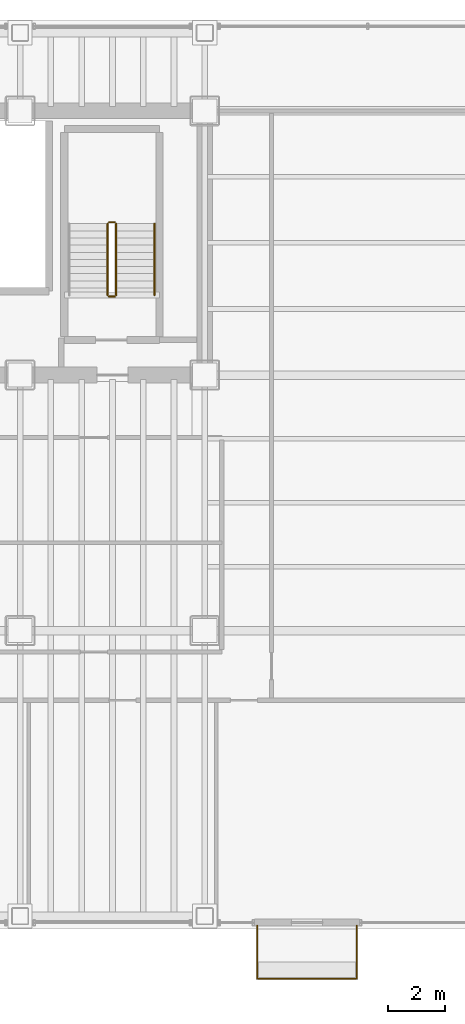
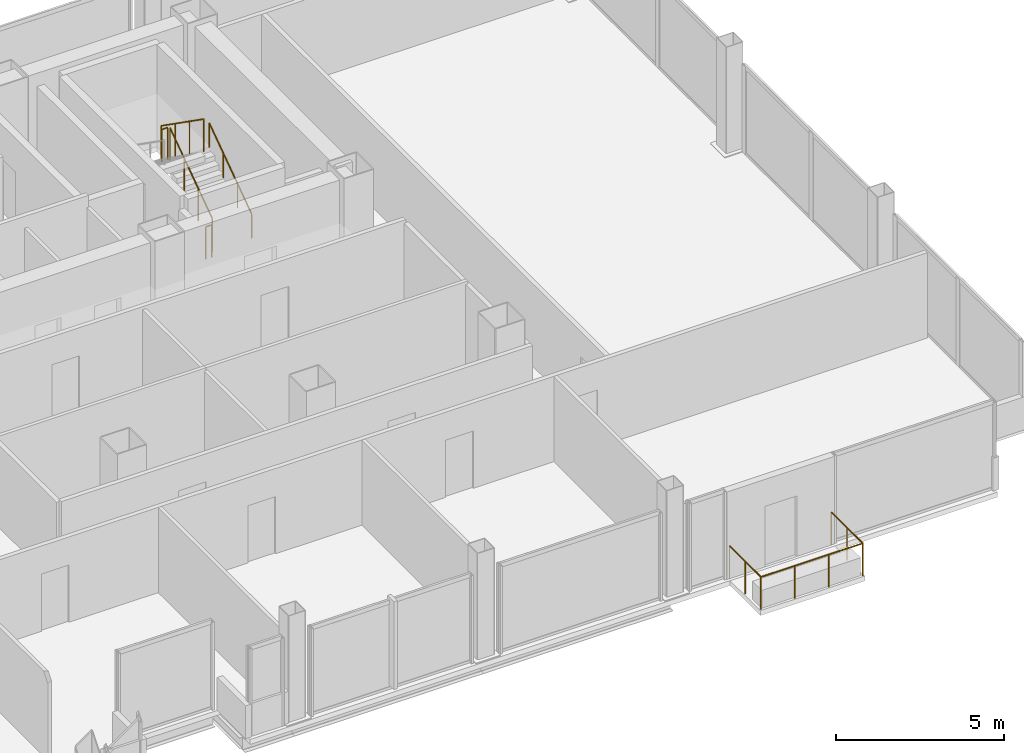
# One storey, part 22 of 22: 6 railings.
"""IFC4 building model written with IfcOpenShell, lengths in metres."""

from ifc_helpers import new_model, si_unit, direction, frame, origin, origin_2d, place, context, subcontext, project, spatial, circle, extrude, material, layer, layer_set, type_object, element, save


model = new_model("IFC4")

# Units and contexts
model_context = context("Model", 3, precision=1e-05, world=origin(), true_north=direction((0.0, 1.0)))
body_context = subcontext(model_context, "Body", "Model", "MODEL_VIEW")
ifc_project = project(units=[si_unit("LENGTHUNIT", "METRE"), si_unit("AREAUNIT", "SQUARE_METRE"), si_unit("VOLUMEUNIT", "CUBIC_METRE"), si_unit("PLANEANGLEUNIT", "RADIAN"), si_unit("MASSUNIT", "GRAM", prefix="KILO")], contexts=[model_context])

# Site, building, storey
site_placement = place(None, origin())
site = spatial("IfcSite", under=ifc_project, at=site_placement, CompositionType="ELEMENT")
building_placement = place(site_placement, origin())
building = spatial("IfcBuilding", under=site, at=building_placement, Name="Noeulbin Bourse Tower", CompositionType="ELEMENT")
storey_placement = place(building_placement, frame((0.0, 0.0, 85.0)))
storey = spatial("IfcBuildingStorey", under=building, at=storey_placement, Name="L21", CompositionType="ELEMENT", Elevation=85.0)

# Railings
ifc_material_1 = material(Name="Laminated SentryGlas and Stainless Steel 316", Category="steel")
ifc_layer_1 = layer(ifc_material_1, 0.06005859375)
ifc_layer_set_1 = layer_set([ifc_layer_1], Name="Laminated SentryGlas and Stainless Steel 316")
railing_type_1 = type_object("IfcRailingType", Name="RLG-BAL-1200", PredefinedType="BALUSTRADE", material=ifc_layer_set_1)
railing_1_placement = place(storey_placement, frame((45.85009765625, 9.6201171875, 0.0)))
element("IfcRailing", 1, at=railing_1_placement, inside=storey, type_object=railing_type_1, Name="Tree-Balcony Glazed Balustrade L21", PredefinedType="BALUSTRADE", context=body_context, shape_type="SweptSolid", body=[
    extrude(circle(Radius=0.02392578125, at=origin_2d()), frame((0.0, 0.0, 1.17578125), z_axis=(0.0, -1.0, 0.0), x_axis=(1.0, 0.0, 0.0)), (0.0, 0.0, 1.0), 1.8701171875),
    extrude(circle(Radius=0.02392578125, at=origin_2d()), frame((0.0, -1.8701171875, 1.17578125), z_axis=(1.0, 0.0, 0.0), x_axis=(0.0, 1.0, 0.0)), (0.0, 0.0, 1.0), 3.5),
    extrude(circle(Radius=0.02392578125, at=origin_2d()), frame((3.5, -1.8701171875, 1.17578125), z_axis=(0.0, 1.0, 0.0), x_axis=(-1.0, 0.0, 0.0)), (0.0, 0.0, 1.0), 1.8701171875),
    extrude(circle(Radius=0.02099609375, at=origin_2d()), origin(), (0.0, 0.0, 1.0), 1.15185546875),
    extrude(circle(Radius=0.02099609375, at=origin_2d()), frame((0.0, -0.93505859375, 0.0)), (0.0, 0.0, 1.0), 1.15185546875),
    extrude(circle(Radius=0.02099609375, at=origin_2d()), frame((0.0, -1.8701171875, 0.0)), (0.0, 0.0, 1.0), 1.15185546875),
    extrude(circle(Radius=0.02099609375, at=origin_2d()), frame((1.166748046875, -1.8701171875, 0.0)), (0.0, 0.0, 1.0), 1.15185546875),
    extrude(circle(Radius=0.02099609375, at=origin_2d()), frame((2.333251953125, -1.8701171875, 0.0)), (0.0, 0.0, 1.0), 1.15185546875),
    extrude(circle(Radius=0.02099609375, at=origin_2d()), frame((3.5, -1.8701171875, 0.0)), (0.0, 0.0, 1.0), 1.15185546875),
    extrude(circle(Radius=0.02099609375, at=origin_2d()), frame((3.5, -0.93505859375, 0.0)), (0.0, 0.0, 1.0), 1.15185546875),
    extrude(circle(Radius=0.02099609375, at=origin_2d()), frame((3.5, 0.0, 0.0)), (0.0, 0.0, 1.0), 1.15185546875),
])
ifc_material_2 = material(Name="Painted Tubular Steel S355", Category="steel")
ifc_layer_2 = layer(ifc_material_2, 0.048095703125)
ifc_layer_set_2 = layer_set([ifc_layer_2], Name="Painted Tubular Steel S355")
railing_type_2 = type_object("IfcRailingType", Name="RLG-STR-GRD", PredefinedType="GUARDRAIL", material=ifc_layer_set_2)
railing_2_placement = place(storey_placement, frame((40.8798828125, 31.81005859375, 0.17724609375)))
element("IfcRailing", 2, at=railing_2_placement, inside=storey, type_object=railing_type_2, Name="L21 ST-2 stair guard 1", PredefinedType="GUARDRAIL", context=body_context, shape_type="SweptSolid", body=[
    extrude(circle(Radius=0.02392578125, at=origin_2d()), frame((0.0, 0.0, 1.17578125), z_axis=(0.0, 0.817904474719, 0.575354039036), x_axis=(-1.0, 0.0, 0.0)), (0.0, 0.0, 1.0), 3.0810546875),
    extrude(circle(Radius=0.02099609375, at=origin_2d()), origin(), (0.0, 0.0, 1.0), 1.15185546875),
    extrude(circle(Radius=0.02099609375, at=origin_2d()), frame((0.0, 0.840087890625, 0.5908203125)), (0.0, 0.0, 1.0), 1.15185546875),
    extrude(circle(Radius=0.02099609375, at=origin_2d()), frame((0.0, 1.679931640625, 1.181884765625)), (0.0, 0.0, 1.0), 1.15185546875),
    extrude(circle(Radius=0.02099609375, at=origin_2d()), frame((0.0, 2.52001953125, 1.772705078125)), (0.0, 0.0, 1.0), 1.15185546875),
])
railing_3_placement = place(storey_placement, frame((40.830078125, 34.3798828125, 1.949951171875)))
element("IfcRailing", 3, at=railing_3_placement, inside=storey, type_object=railing_type_2, Name="L21 ST-2 stair guard 2", PredefinedType="GUARDRAIL", context=body_context, shape_type="SweptSolid", body=[
    extrude(circle(Radius=0.02392578125, at=origin_2d()), frame((0.0, 0.0, 1.17578125), z_axis=(-1.0, 0.0, 0.0), x_axis=(0.0, -1.0, 0.0)), (0.0, 0.0, 1.0), 0.2001953125),
    extrude(circle(Radius=0.02099609375, at=origin_2d()), origin(), (0.0, 0.0, 1.0), 1.15185546875),
    extrude(circle(Radius=0.02099609375, at=origin_2d()), frame((-0.2001953125, 0.0, 0.0)), (0.0, 0.0, 1.0), 1.15185546875),
])
railing_4_placement = place(storey_placement, frame((40.580078125, 34.330078125, 2.127197265625)))
element("IfcRailing", 4, at=railing_4_placement, inside=storey, type_object=railing_type_2, Name="L21 ST-2 stair guard 3", PredefinedType="GUARDRAIL", context=body_context, shape_type="SweptSolid", body=[
    extrude(circle(Radius=0.02392578125, at=origin_2d()), frame((0.0, 0.0, 1.17578125), z_axis=(0.0, -0.817904474719, 0.575354039036), x_axis=(1.0, 0.0, 0.0)), (0.0, 0.0, 1.0), 3.0810546875),
    extrude(circle(Radius=0.02099609375, at=origin_2d()), origin(), (0.0, 0.0, 1.0), 1.15185546875),
    extrude(circle(Radius=0.02099609375, at=origin_2d()), frame((0.0, -0.840087890625, 0.5908203125)), (0.0, 0.0, 1.0), 1.15185546875),
    extrude(circle(Radius=0.02099609375, at=origin_2d()), frame((0.0, -1.679931640625, 1.181884765625)), (0.0, 0.0, 1.0), 1.15185546875),
    extrude(circle(Radius=0.02099609375, at=origin_2d()), frame((0.0, -2.52001953125, 1.772705078125)), (0.0, 0.0, 1.0), 1.15185546875),
])
railing_5_placement = place(storey_placement, frame((40.830078125, 31.760009765625, 0.0)))
element("IfcRailing", 5, at=railing_5_placement, inside=storey, type_object=railing_type_2, Name="L21 ST-2 stair guard 4", PredefinedType="GUARDRAIL", context=body_context, shape_type="SweptSolid", body=[
    extrude(circle(Radius=0.02392578125, at=origin_2d()), frame((0.0, 0.0, 1.17578125), z_axis=(-1.0, 0.0, 0.0), x_axis=(0.0, -1.0, 0.0)), (0.0, 0.0, 1.0), 0.2001953125),
    extrude(circle(Radius=0.02099609375, at=origin_2d()), origin(), (0.0, 0.0, 1.0), 1.15185546875),
    extrude(circle(Radius=0.02099609375, at=origin_2d()), frame((-0.2001953125, 0.0, 0.0)), (0.0, 0.0, 1.0), 1.15185546875),
])
ifc_material_3 = material(Name="Brushed Stainless Steel 316", Category="steel")
ifc_layer_3 = layer(ifc_material_3, 0.048095703125)
ifc_layer_set_3 = layer_set([ifc_layer_3], Name="Brushed Stainless Steel 316")
railing_type_3 = type_object("IfcRailingType", Name="RLG-STR-HND", PredefinedType="HANDRAIL", material=ifc_layer_set_3)
railing_6_placement = place(storey_placement, frame((42.22998046875, 31.81005859375, 0.17724609375)))
element("IfcRailing", 6, at=railing_6_placement, inside=storey, type_object=railing_type_3, Name="L21 ST-2 stair handrail 1", PredefinedType="HANDRAIL", context=body_context, shape_type="SweptSolid", body=[
    extrude(circle(Radius=0.02392578125, at=origin_2d()), frame((0.0, 0.0, 0.8759765625), z_axis=(0.0, 0.817904474719, 0.575354039036), x_axis=(-1.0, 0.0, 0.0)), (0.0, 0.0, 1.0), 3.0810546875),
    extrude(circle(Radius=0.02099609375, at=origin_2d()), origin(), (0.0, 0.0, 1.0), 0.851806640625),
    extrude(circle(Radius=0.02099609375, at=origin_2d()), frame((0.0, 0.840087890625, 0.5908203125)), (0.0, 0.0, 1.0), 0.851806640625),
    extrude(circle(Radius=0.02099609375, at=origin_2d()), frame((0.0, 1.679931640625, 1.181884765625)), (0.0, 0.0, 1.0), 0.851806640625),
    extrude(circle(Radius=0.02099609375, at=origin_2d()), frame((0.0, 2.52001953125, 1.772705078125)), (0.0, 0.0, 1.0), 0.851806640625),
])

save(model, "model.ifc")
